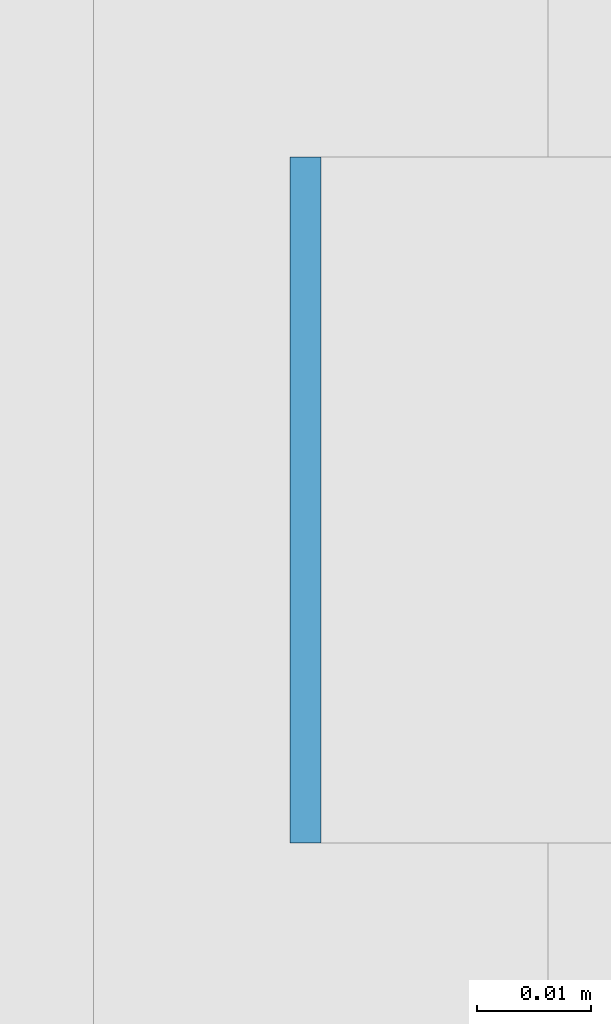
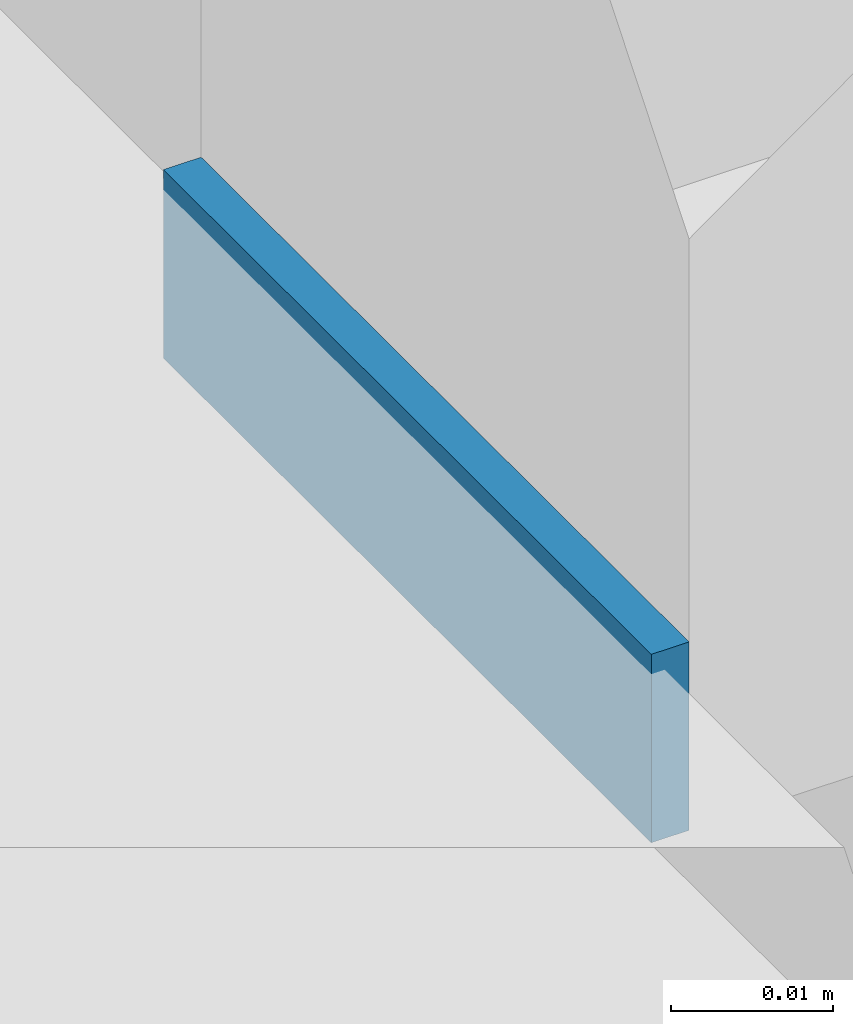
# One storey, part 584 of 646: 1 discrete accessory.
"""IFC4 building model written with IfcOpenShell, lengths in metres."""

from ifc_helpers import new_model, si_unit, direction, frame, origin, origin_2d, place, context, subcontext, project, spatial, rectangle, extrude, material, type_object, element, save


model = new_model("IFC4")

# Units and contexts
model_context = context("Model", 3, precision=1e-05, world=origin(), true_north=direction((0.0, 1.0)))
body_context = subcontext(model_context, "Body", "Model", "MODEL_VIEW")
ifc_project = project(units=[si_unit("LENGTHUNIT", "METRE"), si_unit("AREAUNIT", "SQUARE_METRE"), si_unit("VOLUMEUNIT", "CUBIC_METRE"), si_unit("PLANEANGLEUNIT", "RADIAN"), si_unit("MASSUNIT", "GRAM", prefix="KILO")], contexts=[model_context])

# Site, building, storey
site_placement = place(None, origin())
site = spatial("IfcSite", under=ifc_project, at=site_placement, CompositionType="ELEMENT")
building_placement = place(site_placement, origin())
building = spatial("IfcBuilding", under=site, at=building_placement, Name="Silverbay Arena", CompositionType="ELEMENT")
storey_placement = place(building_placement, frame((0.0, 0.0, 33.5)))
storey = spatial("IfcBuildingStorey", under=building, at=storey_placement, Name="L05", CompositionType="ELEMENT", Elevation=33.5)

# Discrete accessory
ifc_material = material(Name="Steel S355", Category="steel")
discrete_accessory_type = type_object("IfcDiscreteAccessoryType", Name="Steel bracket plate", PredefinedType="BRACKET", material=ifc_material)
discrete_accessory_placement = place(storey_placement, frame((207.128662109375, 114.428466796875, 4.0), z_axis=(0.0, 0.0, 1.0), x_axis=(1.0, 0.0, 0.0)))
element("IfcDiscreteAccessory", 1, at=discrete_accessory_placement, inside=storey, type_object=discrete_accessory_type, Name="Curtain wall packing plate", PredefinedType="BRACKET", context=body_context, shape_type="SweptSolid", body=[
    extrude(rectangle(XDim=0.002685546875, YDim=0.06005859375, at=origin_2d()), origin(), (0.0, 0.0, 1.0), 0.01416015625),
])

save(model, "model.ifc")
